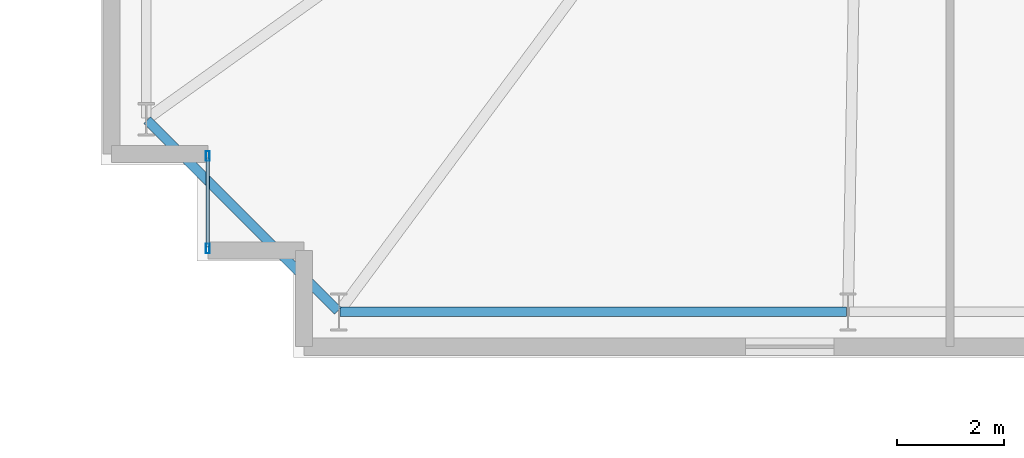
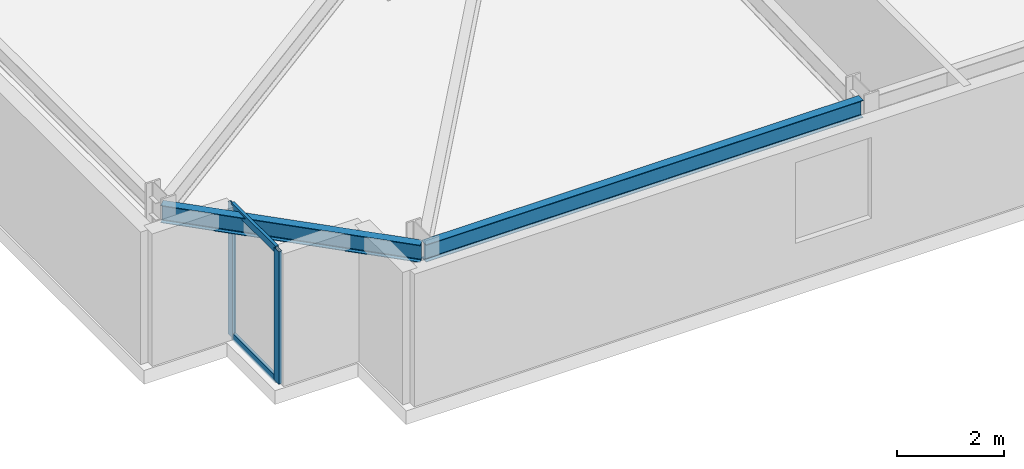
# One storey, part 4 of 22: 4 members, 2 beams, 1 element without a shape of its own.
"""IFC4 building model written with IfcOpenShell, lengths in metres."""

from ifc_helpers import new_model, si_unit, direction, frame, origin, origin_2d, place, context, subcontext, project, spatial, hollow_rectangle, i_section, extrude, material, layer, layer_set, material_profile, profile_set, type_object, element, aggregate, save


model = new_model("IFC4")

# Units and contexts
model_context = context("Model", 3, precision=1e-05, world=origin(), true_north=direction((0.0, 1.0)))
body_context = subcontext(model_context, "Body", "Model", "MODEL_VIEW")
ifc_project = project(units=[si_unit("LENGTHUNIT", "METRE"), si_unit("AREAUNIT", "SQUARE_METRE"), si_unit("VOLUMEUNIT", "CUBIC_METRE"), si_unit("PLANEANGLEUNIT", "RADIAN"), si_unit("MASSUNIT", "GRAM", prefix="KILO")], contexts=[model_context])

# Site, building, storey
site_placement = place(None, origin())
site = spatial("IfcSite", under=ifc_project, at=site_placement, CompositionType="ELEMENT")
building_placement = place(site_placement, origin())
building = spatial("IfcBuilding", under=site, at=building_placement, Name="Qobustan Lattice House", CompositionType="ELEMENT")
storey_placement = place(building_placement, frame((0.0, 0.0, 60.5)))
storey = spatial("IfcBuildingStorey", under=building, at=storey_placement, Name="L16", CompositionType="ELEMENT", Elevation=60.5)

# Beams
ifc_material_1 = material(Name="Steel S355", Category="steel")
ifc_material_profile_1 = material_profile(ifc_material_1, i_section(OverallWidth=0.179931640625, OverallDepth=0.39990234375, WebThickness=0.008544921875, FlangeThickness=0.013427734375, FilletRadius=0.02099609375, at=origin_2d()), Name="IPE400")
ifc_profile_set_1 = profile_set([ifc_material_profile_1], Name="Steel S355")
beam_type = type_object("IfcBeamType", Name="BM-SPD-IPE400", PredefinedType="SPANDREL", material=ifc_profile_set_1)
beam_1_placement = place(storey_placement, frame((-28.52490234375, -18.75, 2.8349609375), z_axis=(1.0, 0.0, 0.0), x_axis=(0.0, 1.0, 0.0)))
element("IfcBeam", 1, at=beam_1_placement, inside=storey, type_object=beam_type, Name="L16 perimeter spandrel S1-S2", PredefinedType="SPANDREL", context=body_context, shape_type="SweptSolid", body=[
    extrude(i_section(OverallWidth=0.179931640625, OverallDepth=0.39990234375, WebThickness=0.008544921875, FlangeThickness=0.013427734375, FilletRadius=0.02099609375, at=origin_2d()), origin(), (0.0, 0.0, 1.0), 9.466552734375),
])
beam_2_placement = place(storey_placement, frame((-32.13232421875, -15.167724609375, 2.8349609375), z_axis=(0.707106781187, -0.707106781187, 0.0), x_axis=(0.707106781187, 0.707106781187, 0.0)))
element("IfcBeam", 2, at=beam_2_placement, inside=storey, type_object=beam_type, Name="L16 perimeter spandrel W4-S1", PredefinedType="SPANDREL", context=body_context, shape_type="SweptSolid", body=[
    extrude(i_section(OverallWidth=0.179931640625, OverallDepth=0.39990234375, WebThickness=0.008544921875, FlangeThickness=0.013427734375, FilletRadius=0.02099609375, at=origin_2d()), origin(), (0.0, 0.0, 1.0), 5.041259765625),
])

# Curtain wall, members
ifc_material_2 = material(Name="Anodised aluminium and low-E glazing", Category="aluminium")
ifc_layer = layer(ifc_material_2, 0.219970703125)
ifc_layer_set = layer_set([ifc_layer], Name="Anodised aluminium and low-E glazing")
curtain_wall_type = type_object("IfcCurtainWallType", Name="CW-FAC-01", PredefinedType="USERDEFINED", material=ifc_layer_set)
curtain_wall_placement = place(storey_placement, origin())
curtain_wall = element("IfcCurtainWall", 3, at=curtain_wall_placement, inside=storey, type_object=curtain_wall_type, Name="L16 serrated corner faceted glazing 3", ObjectType="CURTAIN WALL", PredefinedType="USERDEFINED")
ifc_material_3 = material(Name="Anodised aluminium EN AW-6063 T6", Category="aluminium")
ifc_material_profile_2 = material_profile(ifc_material_3, hollow_rectangle(XDim=0.070068359375, YDim=0.179931640625, WallThickness=0.00439453125, at=origin_2d()), Name="CWM-180x70")
ifc_profile_set_2 = profile_set([ifc_material_profile_2], Name="Anodised aluminium EN AW-6063 T6")
member_type_1 = type_object("IfcMemberType", Name="CWM-STD-180", PredefinedType="MULLION", material=ifc_profile_set_2)
member_1_placement = place(storey_placement, frame((-31.0, -17.56494140625, 0.0), z_axis=(0.0, 0.0, 1.0), x_axis=(-1.0, 0.0, 0.0)))
member_1 = element("IfcMember", 4, at=member_1_placement, type_object=member_type_1, Name="CW-F1 mullion 1", PredefinedType="MULLION", context=body_context, shape_type="SweptSolid", body=[
    extrude(hollow_rectangle(XDim=0.070068359375, YDim=0.179931640625, WallThickness=0.00439453125, at=origin_2d()), origin(), (0.0, 0.0, 1.0), 3.034912109375),
])
member_2_placement = place(storey_placement, frame((-31.0, -15.8349609375, 0.0), z_axis=(0.0, 0.0, 1.0), x_axis=(-1.0, 0.0, 0.0)))
member_2 = element("IfcMember", 5, at=member_2_placement, type_object=member_type_1, Name="CW-F1 mullion 2", PredefinedType="MULLION", context=body_context, shape_type="SweptSolid", body=[
    extrude(hollow_rectangle(XDim=0.070068359375, YDim=0.179931640625, WallThickness=0.00439453125, at=origin_2d()), origin(), (0.0, 0.0, 1.0), 3.034912109375),
])
ifc_material_4 = material(Name="Anodised aluminium EN AW-6063 T6", Category="aluminium")
ifc_material_profile_3 = material_profile(ifc_material_4, hollow_rectangle(XDim=0.06494140625, YDim=0.159912109375, WallThickness=0.00390625, at=origin_2d()), Name="CWT-160x65")
ifc_profile_set_3 = profile_set([ifc_material_profile_3], Name="Anodised aluminium EN AW-6063 T6")
member_type_2 = type_object("IfcMemberType", Name="CWT-HOR-160", PredefinedType="USERDEFINED", material=ifc_profile_set_3)
member_3_placement = place(storey_placement, frame((-31.0, -17.530029296875, 0.032470703125), z_axis=(0.0, 1.0, 0.0), x_axis=(-1.0, 0.0, 0.0)))
member_3 = element("IfcMember", 6, at=member_3_placement, type_object=member_type_2, Name="CW-F1 transom 1.1", ObjectType="TRANSOM", PredefinedType="USERDEFINED", context=body_context, shape_type="SweptSolid", body=[
    extrude(hollow_rectangle(XDim=0.06494140625, YDim=0.159912109375, WallThickness=0.00390625, at=origin_2d()), origin(), (0.0, 0.0, 1.0), 1.659912109375),
])
member_4_placement = place(storey_placement, frame((-31.0, -17.530029296875, 3.00244140625), z_axis=(0.0, 1.0, 0.0), x_axis=(-1.0, 0.0, 0.0)))
member_4 = element("IfcMember", 7, at=member_4_placement, type_object=member_type_2, Name="CW-F1 transom 1.2", ObjectType="TRANSOM", PredefinedType="USERDEFINED", context=body_context, shape_type="SweptSolid", body=[
    extrude(hollow_rectangle(XDim=0.06494140625, YDim=0.159912109375, WallThickness=0.00390625, at=origin_2d()), origin(), (0.0, 0.0, 1.0), 1.659912109375),
])
aggregate(curtain_wall, [member_1, member_2, member_3, member_4])

save(model, "model.ifc")
